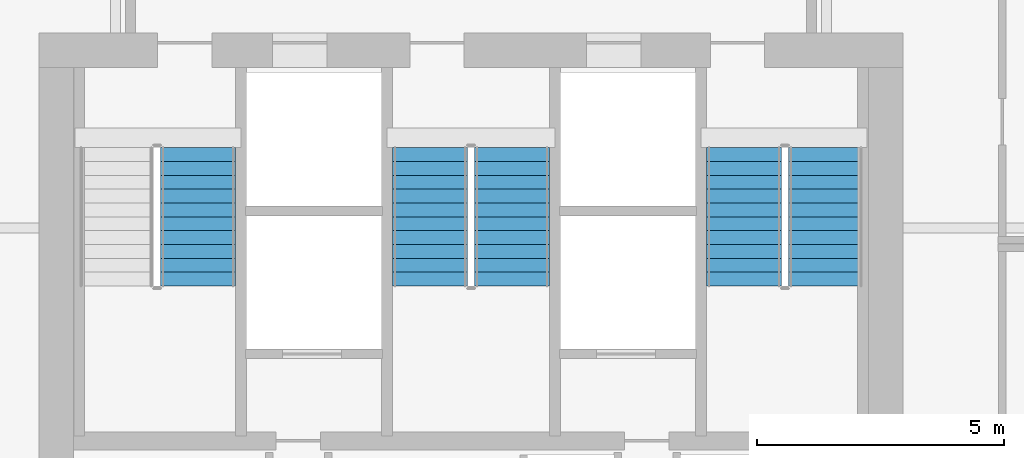
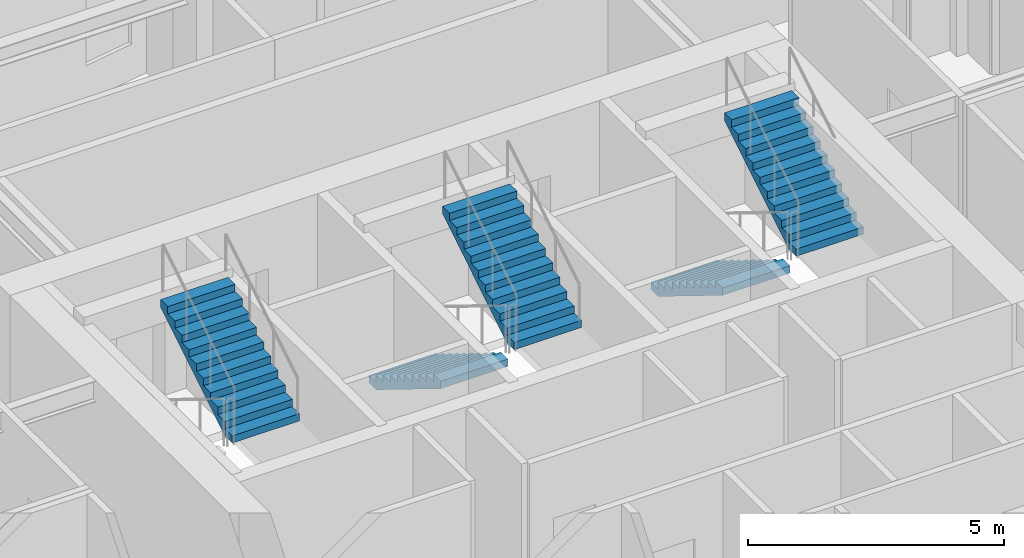
# One storey, part 10 of 13: 5 stair flights, 3 elements without a shape of their own.
"""IFC4 building model written with IfcOpenShell, lengths in metres."""

from ifc_helpers import new_model, si_unit, direction, frame, origin, place, context, subcontext, project, spatial, polyline, outline, extrude, material, type_object, element, aggregate, save


model = new_model("IFC4")

# Units and contexts
model_context = context("Model", 3, precision=1e-05, world=origin(), true_north=direction((0.0, 1.0)))
body_context = subcontext(model_context, "Body", "Model", "MODEL_VIEW")
ifc_project = project(units=[si_unit("LENGTHUNIT", "METRE"), si_unit("AREAUNIT", "SQUARE_METRE"), si_unit("VOLUMEUNIT", "CUBIC_METRE"), si_unit("PLANEANGLEUNIT", "RADIAN"), si_unit("MASSUNIT", "GRAM", prefix="KILO")], contexts=[model_context])

# Site, building, storey
site_placement = place(None, origin())
site = spatial("IfcSite", under=ifc_project, at=site_placement, CompositionType="ELEMENT")
building_placement = place(site_placement, origin())
building = spatial("IfcBuilding", under=site, at=building_placement, Name="Haolan Belvedere Tower", CompositionType="ELEMENT")
storey_placement = place(building_placement, frame((0.0, 0.0, 106.0)))
storey = spatial("IfcBuildingStorey", under=building, at=storey_placement, Name="L26", CompositionType="ELEMENT", Elevation=106.0)

# Stair, stair flight
ifc_material = material(Name="Concrete C40/50", Category="concrete")
stair_type = type_object("IfcStairType", Name="STR-DL-22R-173", PredefinedType="HALF_TURN_STAIR", material=ifc_material)
stair_1_placement = place(storey_placement, origin())
stair_1 = element("IfcStair", 1, at=stair_1_placement, inside=storey, type_object=stair_type, Name="L26 Smokeproof Core Exit Stair ST1", PredefinedType="HALF_TURN_STAIR")
stair_flight_type = type_object("IfcStairFlightType", Name="SFL-DL-11R-173", PredefinedType="STRAIGHT", material=ifc_material)
stair_flight_1_placement = place(storey_placement, frame((32.8701171875, 38.429931640625, 1.89990234375), z_axis=(0.0, 0.0, 1.0), x_axis=(0.0, 1.0, 0.0)))
stair_flight_1 = element("IfcStairFlight", 2, at=stair_flight_1_placement, type_object=stair_flight_type, Name="ST1 flight 2", NumberOfRisers=11, NumberOfTreads=10, PredefinedType="STRAIGHT", RiserHeight=0.172727273, TreadLength=0.28, context=body_context, shape_type="SweptSolid", body=[
    extrude(outline(polyline([(0.0, 0.0), (0.0, 0.172607421875), (0.280029296875, 0.172607421875), (0.280029296875, 0.345458984375), (0.56005859375, 0.345458984375), (0.56005859375, 0.51806640625), (0.840087890625, 0.51806640625), (0.840087890625, 0.69091796875), (1.1201171875, 0.69091796875), (1.1201171875, 0.863525390625), (1.39990234375, 0.863525390625), (1.39990234375, 1.036376953125), (1.679931640625, 1.036376953125), (1.679931640625, 1.208984375), (1.9599609375, 1.208984375), (1.9599609375, 1.3818359375), (2.239990234375, 1.3818359375), (2.239990234375, 1.554443359375), (2.52001953125, 1.554443359375), (2.52001953125, 1.727294921875), (2.800048828125, 1.727294921875), (2.800048828125, 1.89990234375), (2.800048828125, 1.551025390625), (0.285400390625, 0.0), (0.0, 0.0)])), frame((0.0, 0.760009765625, 0.0), z_axis=(0.0, -1.0, 0.0), x_axis=(1.0, 0.0, 0.0)), (0.0, 0.0, 1.0), 1.52001953125),
])
aggregate(stair_1, [stair_flight_1])

# Stair, stair flights
stair_2_placement = place(storey_placement, origin())
stair_2 = element("IfcStair", 3, at=stair_2_placement, inside=storey, type_object=stair_type, Name="L26 Smokeproof Core Exit Stair ST3", PredefinedType="HALF_TURN_STAIR")
stair_flight_2_placement = place(storey_placement, frame((37.570068359375, 41.22998046875, 0.0), z_axis=(0.0, 0.0, 1.0), x_axis=(0.0, -1.0, 0.0)))
stair_flight_2 = element("IfcStairFlight", 4, at=stair_flight_2_placement, type_object=stair_flight_type, Name="ST3 flight 1", NumberOfRisers=11, NumberOfTreads=10, PredefinedType="STRAIGHT", RiserHeight=0.172727273, TreadLength=0.28, context=body_context, shape_type="SweptSolid", body=[
    extrude(outline(polyline([(0.0, 0.0), (0.0, 0.172607421875), (0.280029296875, 0.172607421875), (0.280029296875, 0.345458984375), (0.56005859375, 0.345458984375), (0.56005859375, 0.51806640625), (0.840087890625, 0.51806640625), (0.840087890625, 0.69091796875), (1.1201171875, 0.69091796875), (1.1201171875, 0.863525390625), (1.39990234375, 0.863525390625), (1.39990234375, 1.036376953125), (1.679931640625, 1.036376953125), (1.679931640625, 1.208984375), (1.9599609375, 1.208984375), (1.9599609375, 1.3818359375), (2.239990234375, 1.3818359375), (2.239990234375, 1.554443359375), (2.52001953125, 1.554443359375), (2.52001953125, 1.727294921875), (2.800048828125, 1.727294921875), (2.800048828125, 1.89990234375), (2.800048828125, 1.551025390625), (0.285400390625, 0.0), (0.0, 0.0)])), frame((0.0, 0.760009765625, 0.0), z_axis=(0.0, -1.0, 0.0), x_axis=(1.0, 0.0, 0.0)), (0.0, 0.0, 1.0), 1.52001953125),
])
stair_flight_3_placement = place(storey_placement, frame((39.22998046875, 38.429931640625, 1.89990234375), z_axis=(0.0, 0.0, 1.0), x_axis=(0.0, 1.0, 0.0)))
stair_flight_3 = element("IfcStairFlight", 5, at=stair_flight_3_placement, type_object=stair_flight_type, Name="ST3 flight 2", NumberOfRisers=11, NumberOfTreads=10, PredefinedType="STRAIGHT", RiserHeight=0.172727273, TreadLength=0.28, context=body_context, shape_type="SweptSolid", body=[
    extrude(outline(polyline([(0.0, 0.0), (0.0, 0.172607421875), (0.280029296875, 0.172607421875), (0.280029296875, 0.345458984375), (0.56005859375, 0.345458984375), (0.56005859375, 0.51806640625), (0.840087890625, 0.51806640625), (0.840087890625, 0.69091796875), (1.1201171875, 0.69091796875), (1.1201171875, 0.863525390625), (1.39990234375, 0.863525390625), (1.39990234375, 1.036376953125), (1.679931640625, 1.036376953125), (1.679931640625, 1.208984375), (1.9599609375, 1.208984375), (1.9599609375, 1.3818359375), (2.239990234375, 1.3818359375), (2.239990234375, 1.554443359375), (2.52001953125, 1.554443359375), (2.52001953125, 1.727294921875), (2.800048828125, 1.727294921875), (2.800048828125, 1.89990234375), (2.800048828125, 1.551025390625), (0.285400390625, 0.0), (0.0, 0.0)])), frame((0.0, 0.760009765625, 0.0), z_axis=(0.0, -1.0, 0.0), x_axis=(1.0, 0.0, 0.0)), (0.0, 0.0, 1.0), 1.52001953125),
])
aggregate(stair_2, [stair_flight_2, stair_flight_3])

stair_3_placement = place(storey_placement, origin())
stair_3 = element("IfcStair", 6, at=stair_3_placement, inside=storey, type_object=stair_type, Name="L26 Smokeproof Core Exit Stair ST2", PredefinedType="HALF_TURN_STAIR")
stair_flight_4_placement = place(storey_placement, frame((43.929931640625, 41.22998046875, 0.0), z_axis=(0.0, 0.0, 1.0), x_axis=(0.0, -1.0, 0.0)))
stair_flight_4 = element("IfcStairFlight", 7, at=stair_flight_4_placement, type_object=stair_flight_type, Name="ST2 flight 1", NumberOfRisers=11, NumberOfTreads=10, PredefinedType="STRAIGHT", RiserHeight=0.172727273, TreadLength=0.28, context=body_context, shape_type="SweptSolid", body=[
    extrude(outline(polyline([(0.0, 0.0), (0.0, 0.172607421875), (0.280029296875, 0.172607421875), (0.280029296875, 0.345458984375), (0.56005859375, 0.345458984375), (0.56005859375, 0.51806640625), (0.840087890625, 0.51806640625), (0.840087890625, 0.69091796875), (1.1201171875, 0.69091796875), (1.1201171875, 0.863525390625), (1.39990234375, 0.863525390625), (1.39990234375, 1.036376953125), (1.679931640625, 1.036376953125), (1.679931640625, 1.208984375), (1.9599609375, 1.208984375), (1.9599609375, 1.3818359375), (2.239990234375, 1.3818359375), (2.239990234375, 1.554443359375), (2.52001953125, 1.554443359375), (2.52001953125, 1.727294921875), (2.800048828125, 1.727294921875), (2.800048828125, 1.89990234375), (2.800048828125, 1.551025390625), (0.285400390625, 0.0), (0.0, 0.0)])), frame((0.0, 0.760009765625, 0.0), z_axis=(0.0, -1.0, 0.0), x_axis=(1.0, 0.0, 0.0)), (0.0, 0.0, 1.0), 1.52001953125),
])
stair_flight_5_placement = place(storey_placement, frame((45.590087890625, 38.429931640625, 1.89990234375), z_axis=(0.0, 0.0, 1.0), x_axis=(0.0, 1.0, 0.0)))
stair_flight_5 = element("IfcStairFlight", 8, at=stair_flight_5_placement, type_object=stair_flight_type, Name="ST2 flight 2", NumberOfRisers=11, NumberOfTreads=10, PredefinedType="STRAIGHT", RiserHeight=0.172727273, TreadLength=0.28, context=body_context, shape_type="SweptSolid", body=[
    extrude(outline(polyline([(0.0, 0.0), (0.0, 0.172607421875), (0.280029296875, 0.172607421875), (0.280029296875, 0.345458984375), (0.56005859375, 0.345458984375), (0.56005859375, 0.51806640625), (0.840087890625, 0.51806640625), (0.840087890625, 0.69091796875), (1.1201171875, 0.69091796875), (1.1201171875, 0.863525390625), (1.39990234375, 0.863525390625), (1.39990234375, 1.036376953125), (1.679931640625, 1.036376953125), (1.679931640625, 1.208984375), (1.9599609375, 1.208984375), (1.9599609375, 1.3818359375), (2.239990234375, 1.3818359375), (2.239990234375, 1.554443359375), (2.52001953125, 1.554443359375), (2.52001953125, 1.727294921875), (2.800048828125, 1.727294921875), (2.800048828125, 1.89990234375), (2.800048828125, 1.551025390625), (0.285400390625, 0.0), (0.0, 0.0)])), frame((0.0, 0.760009765625, 0.0), z_axis=(0.0, -1.0, 0.0), x_axis=(1.0, 0.0, 0.0)), (0.0, 0.0, 1.0), 1.52001953125),
])
aggregate(stair_3, [stair_flight_4, stair_flight_5])

save(model, "model.ifc")
